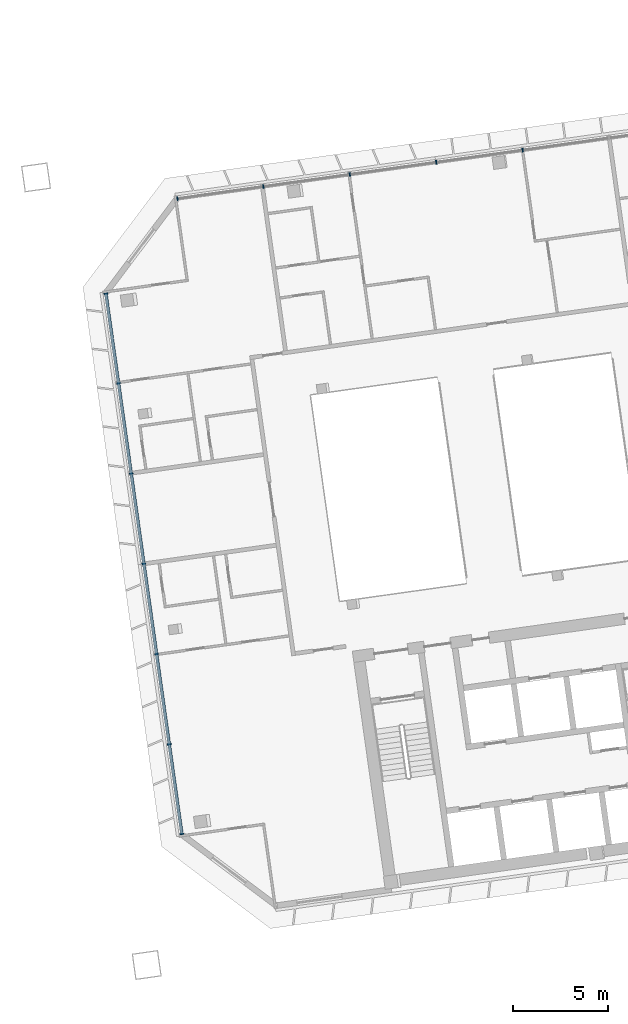
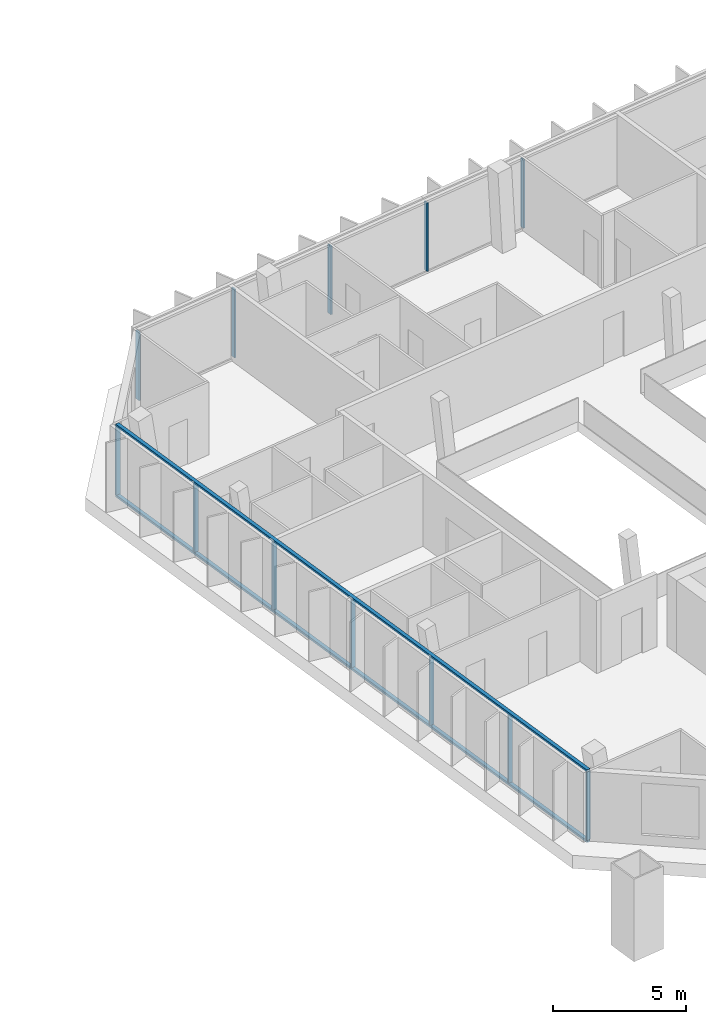
# One storey, part 8 of 23: 14 members, 2 elements without a shape of their own.
"""IFC4 building model written with IfcOpenShell, lengths in metres."""

from ifc_helpers import new_model, si_unit, direction, frame, origin, origin_2d, place, context, subcontext, project, spatial, rectangle, extrude, material, material_profile, profile_set, type_object, element, aggregate, save


model = new_model("IFC4")

# Units and contexts
model_context = context("Model", 3, precision=1e-05, world=origin(), true_north=direction((0.0, 1.0)))
body_context = subcontext(model_context, "Body", "Model", "MODEL_VIEW")
ifc_project = project(units=[si_unit("LENGTHUNIT", "METRE"), si_unit("AREAUNIT", "SQUARE_METRE"), si_unit("VOLUMEUNIT", "CUBIC_METRE"), si_unit("PLANEANGLEUNIT", "RADIAN"), si_unit("MASSUNIT", "GRAM", prefix="KILO")], contexts=[model_context])

# Site, building, storey
site_placement = place(None, origin())
site = spatial("IfcSite", under=ifc_project, at=site_placement, CompositionType="ELEMENT")
building_placement = place(site_placement, origin())
building = spatial("IfcBuilding", under=site, at=building_placement, Name="Mirante Cascada Hotel Towers", CompositionType="ELEMENT")
storey_placement = place(building_placement, frame((0.0, 0.0, 220.4)))
storey = spatial("IfcBuildingStorey", under=building, at=storey_placement, Name="L52", CompositionType="ELEMENT", Elevation=220.4)

# Curtain wall, members
ifc_material_1 = material(Name="Aluminium mullion and transom frame with clear laminated glass", Category="aluminium")
curtain_wall_type_1 = type_object("IfcCurtainWallType", Name="Ribbon curtain wall ECW1", PredefinedType="NOTDEFINED", material=ifc_material_1)
curtain_wall_1_placement = place(storey_placement, origin())
curtain_wall_1 = element("IfcCurtainWall", 1, at=curtain_wall_1_placement, inside=storey, type_object=curtain_wall_type_1, Name="Front ribbon wall T2 L52", PredefinedType="NOTDEFINED")
ifc_material_2 = material(Name="Anodised aluminium extrusion", Category="aluminium")
ifc_material_profile_1 = material_profile(ifc_material_2, rectangle(XDim=0.2, YDim=0.065, at=origin_2d()), Name="ECW1 MULLION 65x200")
ifc_profile_set_1 = profile_set([ifc_material_profile_1], Name="Anodised aluminium extrusion")
member_type_1 = type_object("IfcMemberType", Name="ECW1 mullion 65x200", PredefinedType="MULLION", material=ifc_profile_set_1)
member_1_placement = place(storey_placement, frame((44.5995, 19.0871, 0.1), z_axis=(0.0, 0.0, 1.0), x_axis=(0.1391731, -0.9902681, 0.0)))
member_1 = element("IfcMember", 2, at=member_1_placement, type_object=member_type_1, Name="ECW1 mullion 6", PredefinedType="MULLION", context=body_context, shape_type="SweptSolid", body=[
    extrude(rectangle(XDim=0.2, YDim=0.065, at=origin_2d()), origin(), (0.0, 0.0, 1.0), 3.15),
])
member_2_placement = place(storey_placement, frame((40.0352, 18.4456, 0.1), z_axis=(0.0, 0.0, 1.0), x_axis=(0.1391731, -0.9902681, 0.0)))
member_2 = element("IfcMember", 3, at=member_2_placement, type_object=member_type_1, Name="ECW1 mullion 7", PredefinedType="MULLION", context=body_context, shape_type="SweptSolid", body=[
    extrude(rectangle(XDim=0.2, YDim=0.065, at=origin_2d()), origin(), (0.0, 0.0, 1.0), 3.15),
])
member_3_placement = place(storey_placement, frame((35.4709, 17.8041, 0.1), z_axis=(0.0, 0.0, 1.0), x_axis=(0.1391731, -0.9902681, 0.0)))
member_3 = element("IfcMember", 4, at=member_3_placement, type_object=member_type_1, Name="ECW1 mullion 8", PredefinedType="MULLION", context=body_context, shape_type="SweptSolid", body=[
    extrude(rectangle(XDim=0.2, YDim=0.065, at=origin_2d()), origin(), (0.0, 0.0, 1.0), 3.15),
])
member_4_placement = place(storey_placement, frame((30.9066, 17.1627, 0.1), z_axis=(0.0, 0.0, 1.0), x_axis=(0.1391731, -0.9902681, 0.0)))
member_4 = element("IfcMember", 5, at=member_4_placement, type_object=member_type_1, Name="ECW1 mullion 9", PredefinedType="MULLION", context=body_context, shape_type="SweptSolid", body=[
    extrude(rectangle(XDim=0.2, YDim=0.065, at=origin_2d()), origin(), (0.0, 0.0, 1.0), 3.15),
])
member_5_placement = place(storey_placement, frame((26.3745, 16.5257, 0.1), z_axis=(0.0, 0.0, 1.0), x_axis=(0.1391731, -0.9902681, 0.0)))
member_5 = element("IfcMember", 6, at=member_5_placement, type_object=member_type_1, Name="ECW1 mullion 10", PredefinedType="MULLION", context=body_context, shape_type="SweptSolid", body=[
    extrude(rectangle(XDim=0.2, YDim=0.065, at=origin_2d()), origin(), (0.0, 0.0, 1.0), 3.15),
])
aggregate(curtain_wall_1, [member_1, member_2, member_3, member_4, member_5])

ifc_material_3 = material(Name="Aluminium mullion and transom frame with clear laminated glass", Category="aluminium")
curtain_wall_type_2 = type_object("IfcCurtainWallType", Name="End ribbon curtain wall ECW2", PredefinedType="NOTDEFINED", material=ifc_material_3)
curtain_wall_2_placement = place(storey_placement, origin())
curtain_wall_2 = element("IfcCurtainWall", 7, at=curtain_wall_2_placement, inside=storey, type_object=curtain_wall_type_2, Name="Inner end wall T2 L52", PredefinedType="NOTDEFINED")
ifc_material_4 = material(Name="Anodised aluminium extrusion", Category="aluminium")
ifc_material_profile_2 = material_profile(ifc_material_4, rectangle(XDim=0.2, YDim=0.065, at=origin_2d()), Name="ECW2 MULLION 65x200")
ifc_profile_set_2 = profile_set([ifc_material_profile_2], Name="Anodised aluminium extrusion")
member_type_2 = type_object("IfcMemberType", Name="ECW2 mullion 65x200", PredefinedType="MULLION", material=ifc_profile_set_2)
member_6_placement = place(storey_placement, frame((22.5917, 11.5058, 0.1), z_axis=(0.0, 0.0, 1.0), x_axis=(0.9902681, 0.1391731, 0.0)))
member_6 = element("IfcMember", 8, at=member_6_placement, type_object=member_type_2, Name="ECW2 mullion 1", PredefinedType="MULLION", context=body_context, shape_type="SweptSolid", body=[
    extrude(rectangle(XDim=0.2, YDim=0.065, at=origin_2d()), origin(), (0.0, 0.0, 1.0), 3.15),
])
member_7_placement = place(storey_placement, frame((23.257, 6.7722, 0.1), z_axis=(0.0, 0.0, 1.0), x_axis=(0.9902681, 0.1391731, 0.0)))
member_7 = element("IfcMember", 9, at=member_7_placement, type_object=member_type_2, Name="ECW2 mullion 2", PredefinedType="MULLION", context=body_context, shape_type="SweptSolid", body=[
    extrude(rectangle(XDim=0.2, YDim=0.065, at=origin_2d()), origin(), (0.0, 0.0, 1.0), 3.15),
])
member_8_placement = place(storey_placement, frame((23.9268, 2.0064, 0.1), z_axis=(0.0, 0.0, 1.0), x_axis=(0.9902681, 0.1391731, 0.0)))
member_8 = element("IfcMember", 10, at=member_8_placement, type_object=member_type_2, Name="ECW2 mullion 3", PredefinedType="MULLION", context=body_context, shape_type="SweptSolid", body=[
    extrude(rectangle(XDim=0.2, YDim=0.065, at=origin_2d()), origin(), (0.0, 0.0, 1.0), 3.15),
])
member_9_placement = place(storey_placement, frame((24.5966, -2.7594, 0.1), z_axis=(0.0, 0.0, 1.0), x_axis=(0.9902681, 0.1391731, 0.0)))
member_9 = element("IfcMember", 11, at=member_9_placement, type_object=member_type_2, Name="ECW2 mullion 4", PredefinedType="MULLION", context=body_context, shape_type="SweptSolid", body=[
    extrude(rectangle(XDim=0.2, YDim=0.065, at=origin_2d()), origin(), (0.0, 0.0, 1.0), 3.15),
])
member_10_placement = place(storey_placement, frame((25.2664, -7.5252, 0.1), z_axis=(0.0, 0.0, 1.0), x_axis=(0.9902681, 0.1391731, 0.0)))
member_10 = element("IfcMember", 12, at=member_10_placement, type_object=member_type_2, Name="ECW2 mullion 5", PredefinedType="MULLION", context=body_context, shape_type="SweptSolid", body=[
    extrude(rectangle(XDim=0.2, YDim=0.065, at=origin_2d()), origin(), (0.0, 0.0, 1.0), 3.15),
])
member_11_placement = place(storey_placement, frame((25.9361, -12.291, 0.1), z_axis=(0.0, 0.0, 1.0), x_axis=(0.9902681, 0.1391731, 0.0)))
member_11 = element("IfcMember", 13, at=member_11_placement, type_object=member_type_2, Name="ECW2 mullion 6", PredefinedType="MULLION", context=body_context, shape_type="SweptSolid", body=[
    extrude(rectangle(XDim=0.2, YDim=0.065, at=origin_2d()), origin(), (0.0, 0.0, 1.0), 3.15),
])
member_12_placement = place(storey_placement, frame((26.6014, -17.0246, 0.1), z_axis=(0.0, 0.0, 1.0), x_axis=(0.9902681, 0.1391731, 0.0)))
member_12 = element("IfcMember", 14, at=member_12_placement, type_object=member_type_2, Name="ECW2 mullion 7", PredefinedType="MULLION", context=body_context, shape_type="SweptSolid", body=[
    extrude(rectangle(XDim=0.2, YDim=0.065, at=origin_2d()), origin(), (0.0, 0.0, 1.0), 3.15),
])
ifc_material_5 = material(Name="Anodised aluminium extrusion", Category="aluminium")
ifc_material_profile_3 = material_profile(ifc_material_5, rectangle(XDim=0.16, YDim=0.1, at=origin_2d()), Name="ECW2 TRANSOM 100x160")
ifc_profile_set_3 = profile_set([ifc_material_profile_3], Name="Anodised aluminium extrusion")
member_type_3 = type_object("IfcMemberType", Name="ECW2 transom 100x160", PredefinedType="USERDEFINED", material=ifc_profile_set_3)
member_13_placement = place(storey_placement, frame((22.5872, 11.538, 0.05), z_axis=(0.1391718, -0.9902682, 0.0), x_axis=(0.9902682, 0.1391718, 0.0)))
member_13 = element("IfcMember", 15, at=member_13_placement, type_object=member_type_3, Name="ECW2 sill transom", ObjectType="TRANSOM", PredefinedType="USERDEFINED", context=body_context, shape_type="SweptSolid", body=[
    extrude(rectangle(XDim=0.16, YDim=0.1, at=origin_2d()), origin(), (0.0, 0.0, 1.0), 28.8758),
])
member_14_placement = place(storey_placement, frame((22.5872, 11.538, 3.3), z_axis=(0.1391718, -0.9902682, 0.0), x_axis=(0.9902682, 0.1391718, 0.0)))
member_14 = element("IfcMember", 16, at=member_14_placement, type_object=member_type_3, Name="ECW2 head transom", ObjectType="TRANSOM", PredefinedType="USERDEFINED", context=body_context, shape_type="SweptSolid", body=[
    extrude(rectangle(XDim=0.16, YDim=0.1, at=origin_2d()), origin(), (0.0, 0.0, 1.0), 28.8758),
])
aggregate(curtain_wall_2, [member_13, member_14, member_6, member_7, member_8, member_9, member_10, member_11, member_12])

save(model, "model.ifc")
